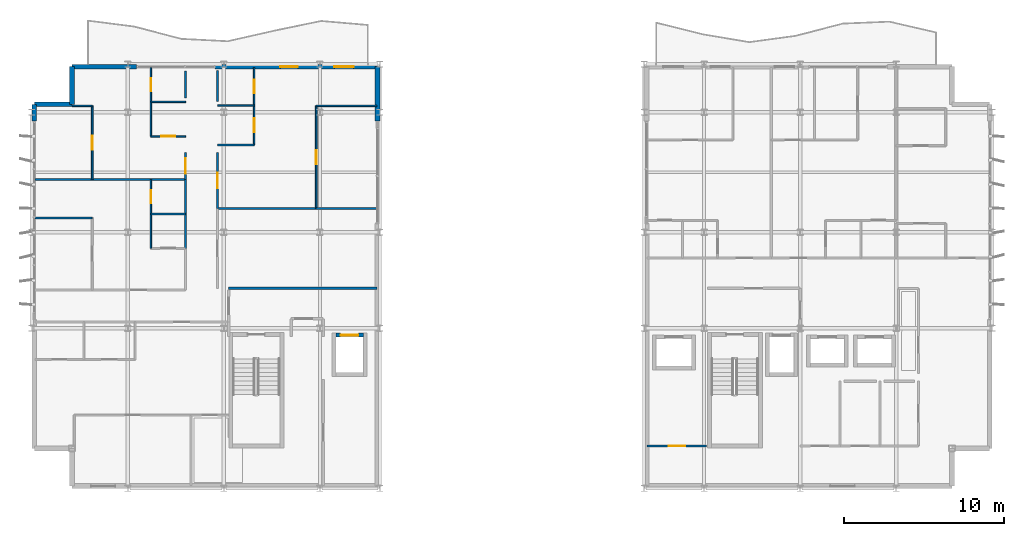
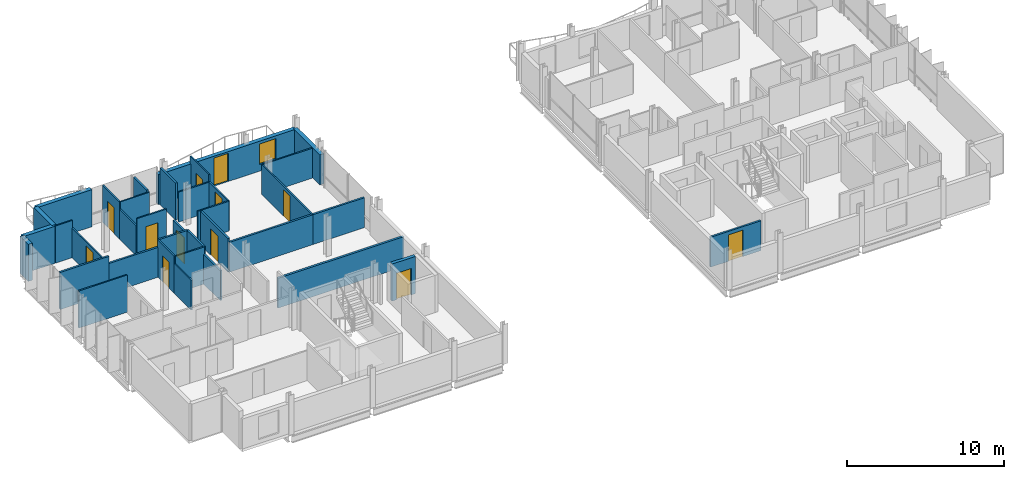
# One storey, part 23 of 30: 36 walls, 12 doors, 1 window, 13 openings.
"""IFC4 building model written with IfcOpenShell, lengths in metres."""

from ifc_helpers import new_model, si_unit, direction, frame, frame_2d, origin, place, context, subcontext, project, spatial, rectangle, extrude, material, layer, layer_set, type_object, element, fill, save


model = new_model("IFC4")

# Units and contexts
model_context = context("Model", 3, precision=1e-05, world=origin(), true_north=direction((0.0, 1.0)))
body_context = subcontext(model_context, "Body", "Model", "MODEL_VIEW")
ifc_project = project(units=[si_unit("LENGTHUNIT", "METRE"), si_unit("AREAUNIT", "SQUARE_METRE"), si_unit("VOLUMEUNIT", "CUBIC_METRE"), si_unit("PLANEANGLEUNIT", "RADIAN"), si_unit("MASSUNIT", "GRAM", prefix="KILO")], contexts=[model_context])

# Site, building, storey
site_placement = place(None, origin())
site = spatial("IfcSite", under=ifc_project, at=site_placement, CompositionType="ELEMENT")
building_placement = place(site_placement, origin())
building = spatial("IfcBuilding", under=site, at=building_placement, Name="Brevholm Reach", CompositionType="ELEMENT")
storey_placement = place(building_placement, frame((0.0, 0.0, 204.89990234375)))
storey = spatial("IfcBuildingStorey", under=building, at=storey_placement, Name="L62", CompositionType="ELEMENT", Elevation=204.89990234375)

# Wall, opening, door
ifc_material_1 = material(Name="Concrete C45/55", Category="concrete")
ifc_layer_1 = layer(ifc_material_1, 0.239990234375)
ifc_layer_set_1 = layer_set([ifc_layer_1], Name="Concrete C45/55")
wall_type_1 = type_object("IfcWallType", Name="WAL-COR-240", PredefinedType="SHEAR", material=ifc_layer_set_1)
wall_1_placement = place(storey_placement, frame((18.989990234375, 9.580078125, 0.0), z_axis=(0.0, 0.0, 1.0), x_axis=(1.0, 0.0, 0.0)))
wall_1 = element("IfcWall", 1, at=wall_1_placement, inside=storey, type_object=wall_type_1, Name="L62 Lift FFL-1 Shaft Wall N", PredefinedType="SHEAR", context=body_context, shape_type="SweptSolid", body=[
    extrude(rectangle(XDim=1.719970703125, YDim=0.239990234375, at=frame_2d((0.85986328125, 0.0))), origin(), (0.0, 0.0, 1.0), 2.89013671875),
])
opening_1_placement = place(wall_1_placement, frame((0.31005859375, 0.0, 0.0)))
opening_1 = element("IfcOpeningElement", 2, at=opening_1_placement, cuts=wall_1, Name="Opening LD-FFL-1", PredefinedType="OPENING", context=body_context, shape_type="SweptSolid", body=[
    extrude(rectangle(XDim=1.10009765625, YDim=2.06005859375, at=frame_2d((0.550048828125, 1.030029296875))), frame((0.0, 0.1298828125, 0.0), z_axis=(0.0, -1.0, 0.0), x_axis=(1.0, 0.0, 0.0)), (0.0, 0.0, 1.0), 0.260009765625),
])
ifc_material_2 = material(Name="Brushed Stainless Steel Fire-Rated Sliding Lift Door", Category="steel")
door_type_1 = type_object("IfcDoorType", Name="DOR-LFT-1100", OperationType="NOTDEFINED", PredefinedType="DOOR", material=ifc_material_2)
door_1_placement = place(opening_1_placement, origin())
door_1 = element("IfcDoor", 3, at=door_1_placement, inside=storey, type_object=door_type_1, Name="L62 Lift FFL-1 Sliding Landing Door", OperationType="SLIDING_TO_RIGHT", OverallHeight=2.06005859375, OverallWidth=1.10009765625, PredefinedType="DOOR", context=body_context, shape_type="SweptSolid", body=[
    extrude(rectangle(XDim=1.10009765625, YDim=2.06005859375, at=frame_2d((0.550048828125, 1.030029296875))), frame((0.0, 0.02490234375, 0.0), z_axis=(0.0, -1.0, 0.0), x_axis=(1.0, 0.0, 0.0)), (0.0, 0.0, 1.0), 0.050048828125),
])
fill(opening_1, door_1)

# Walls
ifc_material_3 = material(Name="Concrete C40/50", Category="concrete")
ifc_layer_2 = layer(ifc_material_3, 0.300048828125)
ifc_layer_set_2 = layer_set([ifc_layer_2], Name="Concrete C40/50")
wall_type_2 = type_object("IfcWallType", Name="WAL-EXT-300", PredefinedType="STANDARD", material=ifc_layer_set_2)
for number, where, z_axis, x_axis, name in (
    (4, (2.5, 26.35009765625, 0.0), (0.0, 0.0, 1.0), (0.0, -1.0, 0.0), "L62 Facade Wall WAL-L62-WW-CNW1"),
    (5, (2.5, 24.0, 0.0), (0.0, 0.0, 1.0), (-1.0, 0.0, 0.0), "L62 Facade Wall WAL-L62-WW-CNW2"),
):
    element("IfcWall", number, at=place(storey_placement, frame(where, z_axis=z_axis, x_axis=x_axis)), inside=storey, type_object=wall_type_2, Name=name, PredefinedType="STANDARD", context=body_context, shape_type="SweptSolid", body=[
        extrude(rectangle(XDim=2.35009765625, YDim=0.300048828125, at=frame_2d((1.175048828125, 0.0))), origin(), (0.0, 0.0, 1.0), 2.89013671875),
    ])
wall_2_placement = place(storey_placement, frame((0.14990234375, 24.0, 0.0), z_axis=(0.0, 0.0, 1.0), x_axis=(0.0, -1.0, 0.0)))
element("IfcWall", 6, at=wall_2_placement, inside=storey, type_object=wall_type_2, Name="L62 Facade Wall WAL-L62-WW-WN", PredefinedType="STANDARD", context=body_context, shape_type="SweptSolid", body=[
    extrude(rectangle(XDim=1.050048828125, YDim=0.300048828125, at=frame_2d((0.52490234375, 0.0))), origin(), (0.0, 0.0, 1.0), 2.89013671875),
])
wall_3_placement = place(storey_placement, frame((2.5, 26.35009765625, 0.0), z_axis=(0.0, 0.0, 1.0), x_axis=(1.0, 0.0, 0.0)))
element("IfcWall", 7, at=wall_3_placement, inside=storey, type_object=wall_type_2, Name="L62 Facade Wall WAL-L62-WW-NP1", PredefinedType="STANDARD", context=body_context, shape_type="SweptSolid", body=[
    extrude(rectangle(XDim=4.050048828125, YDim=0.300048828125, at=frame_2d((2.02490234375, 0.0))), origin(), (0.0, 0.0, 1.0), 2.89013671875),
])

# Wall, openings, door, window
wall_4_placement = place(storey_placement, frame((11.449951171875, 26.35009765625, 0.0), z_axis=(0.0, 0.0, 1.0), x_axis=(1.0, 0.0, 0.0)))
wall_4 = element("IfcWall", 8, at=wall_4_placement, inside=storey, type_object=wall_type_2, Name="L62 Facade Wall WAL-L62-WW-NP2", PredefinedType="STANDARD", context=body_context, shape_type="SweptSolid", body=[
    extrude(rectangle(XDim=10.150146484375, YDim=0.300048828125, at=frame_2d((5.0751953125, 0.0))), origin(), (0.0, 0.0, 1.0), 2.33203125),
])
opening_2_placement = place(wall_4_placement, frame((4.073974609375, 0.0, 0.0)))
opening_2 = element("IfcOpeningElement", 9, at=opening_2_placement, cuts=wall_4, Name="Opening BD-01", PredefinedType="OPENING", context=body_context, shape_type="SweptSolid", body=[
    extrude(rectangle(XDim=1.10009765625, YDim=2.199951171875, at=frame_2d((0.550048828125, 1.10009765625))), frame((0.0, 0.159912109375, 0.0), z_axis=(0.0, -1.0, 0.0), x_axis=(1.0, 0.0, 0.0)), (0.0, 0.0, 1.0), 0.320068359375),
])
opening_3_placement = place(wall_4_placement, frame((7.449951171875, 0.0, 0.511962890625)))
opening_3 = element("IfcOpeningElement", 10, at=opening_3_placement, cuts=wall_4, Name="Opening WN-08", PredefinedType="OPENING", context=body_context, shape_type="SweptSolid", body=[
    extrude(rectangle(XDim=1.199951171875, YDim=1.60009765625, at=frame_2d((0.60009765625, 0.800048828125))), frame((0.0, 0.159912109375, 0.0), z_axis=(0.0, -1.0, 0.0), x_axis=(1.0, 0.0, 0.0)), (0.0, 0.0, 1.0), 0.320068359375),
])
ifc_material_4 = material(Name="Dark Anodised Aluminium and Triple-Glazed Glass", Category="aluminium")
door_type_2 = type_object("IfcDoorType", Name="DOR-BALC-1100", OperationType="NOTDEFINED", PredefinedType="DOOR", material=ifc_material_4)
door_2_placement = place(opening_2_placement, origin())
door_2 = element("IfcDoor", 11, at=door_2_placement, inside=storey, type_object=door_type_2, Name="L62 Exterior Door DOR-L62-BL-NW", OperationType="SINGLE_SWING_RIGHT", OverallHeight=2.199951171875, OverallWidth=1.10009765625, PredefinedType="DOOR", context=body_context, shape_type="SweptSolid", body=[
    extrude(rectangle(XDim=1.10009765625, YDim=2.199951171875, at=frame_2d((0.550048828125, 1.10009765625))), frame((0.0, 0.02490234375, 0.0), z_axis=(0.0, -1.0, 0.0), x_axis=(1.0, 0.0, 0.0)), (0.0, 0.0, 1.0), 0.050048828125),
])
fill(opening_2, door_2)
ifc_material_5 = material(Name="Dark Anodised Aluminium and Solar-Control IGU Glass", Category="aluminium")
window_type = type_object("IfcWindowType", Name="WIN-RES-1200", PartitioningType="SINGLE_PANEL", PredefinedType="WINDOW", material=ifc_material_5)
window_placement = place(opening_3_placement, origin())
window = element("IfcWindow", 12, at=window_placement, inside=storey, type_object=window_type, Name="L62 Window WIN-L62-WW-NP2", OverallHeight=1.60009765625, OverallWidth=1.199951171875, PartitioningType="SINGLE_PANEL", PredefinedType="WINDOW", context=body_context, shape_type="SweptSolid", body=[
    extrude(rectangle(XDim=1.199951171875, YDim=1.60009765625, at=frame_2d((0.60009765625, 0.800048828125))), frame((0.0, 0.030029296875, 0.0), z_axis=(0.0, -1.0, 0.0), x_axis=(1.0, 0.0, 0.0)), (0.0, 0.0, 1.0), 0.06005859375),
])
fill(opening_3, window)

# Walls
wall_5_placement = place(storey_placement, frame((21.60009765625, 22.949951171875, 0.0), z_axis=(0.0, 0.0, 1.0), x_axis=(0.0, 1.0, 0.0)))
element("IfcWall", 13, at=wall_5_placement, inside=storey, type_object=wall_type_2, Name="L62 Facade Wall WAL-L62-VP-WN", PredefinedType="STANDARD", context=body_context, shape_type="SweptSolid", body=[
    extrude(rectangle(XDim=3.400146484375, YDim=0.300048828125, at=frame_2d((1.7001953125, 0.0))), origin(), (0.0, 0.0, 1.0), 2.33203125),
])
ifc_material_6 = material(Name="Moisture-Resistant Acoustic Gypsum Stud Partition 100 mm", Category="gypsum")
ifc_layer_3 = layer(ifc_material_6, 0.10009765625)
ifc_layer_set_3 = layer_set([ifc_layer_3], Name="Moisture-Resistant Acoustic Gypsum Stud Partition 100 mm")
wall_type_3 = type_object("IfcWallType", Name="WAL-PRT-100", PredefinedType="PARTITIONING", material=ifc_layer_set_3)
wall_6_placement = place(storey_placement, frame((7.43798828125, 17.14990234375, 0.0), z_axis=(0.0, 0.0, 1.0), x_axis=(1.0, 0.0, 0.0)))
element("IfcWall", 14, at=wall_6_placement, inside=storey, type_object=wall_type_3, Name="L62 Internal Partition 047", PredefinedType="PARTITIONING", context=body_context, shape_type="SweptSolid", body=[
    extrude(rectangle(XDim=2.157958984375, YDim=0.10009765625, at=frame_2d((1.0791015625, 0.0))), origin(), (0.0, 0.0, 1.0), 2.89013671875),
])

# Wall, opening, door
wall_7_placement = place(storey_placement, frame((7.43798828125, 17.14990234375, 0.0), z_axis=(0.0, 0.0, 1.0), x_axis=(0.0, 1.0, 0.0)))
wall_7 = element("IfcWall", 15, at=wall_7_placement, inside=storey, type_object=wall_type_3, Name="L62 Internal Partition 048", PredefinedType="PARTITIONING", context=body_context, shape_type="SweptSolid", body=[
    extrude(rectangle(XDim=2.150146484375, YDim=0.10009765625, at=frame_2d((1.0751953125, 0.0))), origin(), (0.0, 0.0, 1.0), 2.89013671875),
])
opening_4_placement = place(wall_7_placement, frame((0.6650390625, 0.0, 0.0)))
opening_4 = element("IfcOpeningElement", 16, at=opening_4_placement, cuts=wall_7, Name="Opening ID-03", PredefinedType="OPENING", context=body_context, shape_type="SweptSolid", body=[
    extrude(rectangle(XDim=0.820068359375, YDim=2.02001953125, at=frame_2d((0.41015625, 1.010009765625))), frame((0.0, 0.06005859375, 0.0), z_axis=(0.0, -1.0, 0.0), x_axis=(1.0, 0.0, 0.0)), (0.0, 0.0, 1.0), 0.1201171875),
])
ifc_material_7 = material(Name="Moisture-Resistant Painted Timber Internal Bathroom Door", Category="wood")
door_type_3 = type_object("IfcDoorType", Name="DOR-BATH-820", OperationType="NOTDEFINED", PredefinedType="DOOR", material=ifc_material_7)
door_3_placement = place(opening_4_placement, origin())
door_3 = element("IfcDoor", 17, at=door_3_placement, inside=storey, type_object=door_type_3, Name="L62 Internal Door 023", OperationType="SINGLE_SWING_RIGHT", OverallHeight=2.02001953125, OverallWidth=0.820068359375, PredefinedType="DOOR", context=body_context, shape_type="SweptSolid", body=[
    extrude(rectangle(XDim=0.820068359375, YDim=2.02001953125, at=frame_2d((0.41015625, 1.010009765625))), frame((0.0, 0.02490234375, 0.0), z_axis=(0.0, -1.0, 0.0), x_axis=(1.0, 0.0, 0.0)), (0.0, 0.0, 1.0), 0.050048828125),
])
fill(opening_4, door_3)

# Walls
wall_8_placement = place(storey_placement, frame((7.43798828125, 15.0, 0.0), z_axis=(0.0, 0.0, 1.0), x_axis=(0.0, 1.0, 0.0)))
element("IfcWall", 18, at=wall_8_placement, inside=storey, type_object=wall_type_3, Name="L62 Internal Partition 051", PredefinedType="PARTITIONING", context=body_context, shape_type="SweptSolid", body=[
    extrude(rectangle(XDim=2.14599609375, YDim=0.10009765625, at=frame_2d((1.072998046875, 0.0))), origin(), (0.0, 0.0, 1.0), 2.32568359375),
])
wall_9_placement = place(storey_placement, frame((0.199951171875, 16.89990234375, 0.0), z_axis=(0.0, 0.0, 1.0), x_axis=(1.0, 0.0, 0.0)))
element("IfcWall", 19, at=wall_9_placement, inside=storey, type_object=wall_type_3, Name="L62 Internal Partition 053", PredefinedType="PARTITIONING", context=body_context, shape_type="SweptSolid", body=[
    extrude(rectangle(XDim=3.572021484375, YDim=0.10009765625, at=frame_2d((1.7861328125, 0.0))), origin(), (0.0, 0.0, 1.0), 2.89013671875),
])
wall_10_placement = place(storey_placement, frame((7.43798828125, 24.14990234375, 0.0), z_axis=(0.0, 0.0, 1.0), x_axis=(1.0, 0.0, 0.0)))
element("IfcWall", 20, at=wall_10_placement, inside=storey, type_object=wall_type_3, Name="L62 Internal Partition 056", PredefinedType="PARTITIONING", context=body_context, shape_type="SweptSolid", body=[
    extrude(rectangle(XDim=2.162109375, YDim=0.10009765625, at=frame_2d((1.0810546875, 0.0))), origin(), (0.0, 0.0, 1.0), 2.89013671875),
])

# Wall, opening, door
wall_11_placement = place(storey_placement, frame((7.43798828125, 24.14990234375, 0.0), z_axis=(0.0, 0.0, 1.0), x_axis=(0.0, 1.0, 0.0)))
wall_11 = element("IfcWall", 21, at=wall_11_placement, inside=storey, type_object=wall_type_3, Name="L62 Internal Partition 057", PredefinedType="PARTITIONING", context=body_context, shape_type="SweptSolid", body=[
    extrude(rectangle(XDim=2.150146484375, YDim=0.10009765625, at=frame_2d((1.0751953125, 0.0))), origin(), (0.0, 0.0, 1.0), 2.89013671875),
])
opening_5_placement = place(wall_11_placement, frame((0.6650390625, 0.0, 0.0)))
opening_5 = element("IfcOpeningElement", 22, at=opening_5_placement, cuts=wall_11, Name="Opening ID-03", PredefinedType="OPENING", context=body_context, shape_type="SweptSolid", body=[
    extrude(rectangle(XDim=0.820068359375, YDim=2.02001953125, at=frame_2d((0.41015625, 1.010009765625))), frame((0.0, 0.06005859375, 0.0), z_axis=(0.0, -1.0, 0.0), x_axis=(1.0, 0.0, 0.0)), (0.0, 0.0, 1.0), 0.1201171875),
])
door_4_placement = place(opening_5_placement, origin())
door_4 = element("IfcDoor", 23, at=door_4_placement, inside=storey, type_object=door_type_3, Name="L62 Internal Door 026", OperationType="SINGLE_SWING_LEFT", OverallHeight=2.02001953125, OverallWidth=0.820068359375, PredefinedType="DOOR", context=body_context, shape_type="SweptSolid", body=[
    extrude(rectangle(XDim=0.820068359375, YDim=2.02001953125, at=frame_2d((0.41015625, 1.010009765625))), frame((0.0, 0.02490234375, 0.0), z_axis=(0.0, -1.0, 0.0), x_axis=(1.0, 0.0, 0.0)), (0.0, 0.0, 1.0), 0.050048828125),
])
fill(opening_5, door_4)

wall_12_placement = place(storey_placement, frame((7.43798828125, 22.0, 0.0), z_axis=(0.0, 0.0, 1.0), x_axis=(1.0, 0.0, 0.0)))
wall_12 = element("IfcWall", 24, at=wall_12_placement, inside=storey, type_object=wall_type_3, Name="L62 Internal Partition 058", PredefinedType="PARTITIONING", context=body_context, shape_type="SweptSolid", body=[
    extrude(rectangle(XDim=2.162109375, YDim=0.10009765625, at=frame_2d((1.0810546875, 0.0))), origin(), (0.0, 0.0, 1.0), 2.89013671875),
])
opening_6_placement = place(wall_12_placement, frame((0.64111328125, 0.0, 0.0)))
opening_6 = element("IfcOpeningElement", 25, at=opening_6_placement, cuts=wall_12, Name="Opening ID-01", PredefinedType="OPENING", context=body_context, shape_type="SweptSolid", body=[
    extrude(rectangle(XDim=0.8798828125, YDim=2.0400390625, at=frame_2d((0.43994140625, 1.02001953125))), frame((0.0, 0.06005859375, 0.0), z_axis=(0.0, -1.0, 0.0), x_axis=(1.0, 0.0, 0.0)), (0.0, 0.0, 1.0), 0.1201171875),
])
ifc_material_8 = material(Name="Lacquered Ash Solid-Core Acoustic Internal Door", Category="timber")
door_type_4 = type_object("IfcDoorType", Name="DOR-INT-880", OperationType="NOTDEFINED", PredefinedType="DOOR", material=ifc_material_8)
door_5_placement = place(opening_6_placement, origin())
door_5 = element("IfcDoor", 26, at=door_5_placement, inside=storey, type_object=door_type_4, Name="L62 Internal Door 027", OperationType="SINGLE_SWING_RIGHT", OverallHeight=2.0400390625, OverallWidth=0.8798828125, PredefinedType="DOOR", context=body_context, shape_type="SweptSolid", body=[
    extrude(rectangle(XDim=0.8798828125, YDim=2.0400390625, at=frame_2d((0.43994140625, 1.02001953125))), frame((0.0, 0.02490234375, 0.0), z_axis=(0.0, -1.0, 0.0), x_axis=(1.0, 0.0, 0.0)), (0.0, 0.0, 1.0), 0.050048828125),
])
fill(opening_6, door_5)

# Walls
wall_13_placement = place(storey_placement, frame((7.43798828125, 22.0, 0.0), z_axis=(0.0, 0.0, 1.0), x_axis=(0.0, 1.0, 0.0)))
element("IfcWall", 27, at=wall_13_placement, inside=storey, type_object=wall_type_3, Name="L62 Internal Partition 059", PredefinedType="PARTITIONING", context=body_context, shape_type="SweptSolid", body=[
    extrude(rectangle(XDim=2.14599609375, YDim=0.10009765625, at=frame_2d((1.072998046875, 0.0))), origin(), (0.0, 0.0, 1.0), 2.32568359375),
])
wall_14_placement = place(storey_placement, frame((2.52001953125, 23.89990234375, 0.0), z_axis=(0.0, 0.0, 1.0), x_axis=(1.0, 0.0, 0.0)))
element("IfcWall", 28, at=wall_14_placement, inside=storey, type_object=wall_type_3, Name="L62 Internal Partition 060", PredefinedType="PARTITIONING", context=body_context, shape_type="SweptSolid", body=[
    extrude(rectangle(XDim=1.251953125, YDim=0.10009765625, at=frame_2d((0.6259765625, 0.0))), origin(), (0.0, 0.0, 1.0), 2.89013671875),
])

# Wall, opening, door
wall_15_placement = place(storey_placement, frame((3.77197265625, 19.303955078125, 0.0), z_axis=(0.0, 0.0, 1.0), x_axis=(0.0, 1.0, 0.0)))
wall_15 = element("IfcWall", 29, at=wall_15_placement, inside=storey, type_object=wall_type_3, Name="L62 Internal Partition 061", PredefinedType="PARTITIONING", context=body_context, shape_type="SweptSolid", body=[
    extrude(rectangle(XDim=4.595947265625, YDim=0.10009765625, at=frame_2d((2.2978515625, 0.0))), origin(), (0.0, 0.0, 1.0), 2.32568359375),
])
opening_7_placement = place(wall_15_placement, frame((1.85791015625, 0.0, 0.0)))
opening_7 = element("IfcOpeningElement", 30, at=opening_7_placement, cuts=wall_15, Name="Opening ID-01", PredefinedType="OPENING", context=body_context, shape_type="SweptSolid", body=[
    extrude(rectangle(XDim=0.8798828125, YDim=2.0400390625, at=frame_2d((0.43994140625, 1.02001953125))), frame((0.0, 0.06005859375, 0.0), z_axis=(0.0, -1.0, 0.0), x_axis=(1.0, 0.0, 0.0)), (0.0, 0.0, 1.0), 0.1201171875),
])
door_6_placement = place(opening_7_placement, origin())
door_6 = element("IfcDoor", 31, at=door_6_placement, inside=storey, type_object=door_type_4, Name="L62 Internal Door 028", OperationType="SINGLE_SWING_LEFT", OverallHeight=2.0400390625, OverallWidth=0.8798828125, PredefinedType="DOOR", context=body_context, shape_type="SweptSolid", body=[
    extrude(rectangle(XDim=0.8798828125, YDim=2.0400390625, at=frame_2d((0.43994140625, 1.02001953125))), frame((0.0, 0.02490234375, 0.0), z_axis=(0.0, -1.0, 0.0), x_axis=(1.0, 0.0, 0.0)), (0.0, 0.0, 1.0), 0.050048828125),
])
fill(opening_7, door_6)

# Wall
wall_16_placement = place(storey_placement, frame((11.60009765625, 23.924072265625, 0.0), z_axis=(0.0, 0.0, 1.0), x_axis=(1.0, 0.0, 0.0)))
element("IfcWall", 32, at=wall_16_placement, inside=storey, type_object=wall_type_3, Name="L62 Internal Partition 062", PredefinedType="PARTITIONING", context=body_context, shape_type="SweptSolid", body=[
    extrude(rectangle(XDim=2.288818359375, YDim=0.10009765625, at=frame_2d((1.14453125, 0.0))), origin(), (0.0, 0.0, 1.0), 2.32568359375),
])

# Wall, opening, door
wall_17_placement = place(storey_placement, frame((13.888916015625, 23.924072265625, 0.0), z_axis=(0.0, 0.0, 1.0), x_axis=(0.0, 1.0, 0.0)))
wall_17 = element("IfcWall", 33, at=wall_17_placement, inside=storey, type_object=wall_type_3, Name="L62 Internal Partition 063", PredefinedType="PARTITIONING", context=body_context, shape_type="SweptSolid", body=[
    extrude(rectangle(XDim=2.3759765625, YDim=0.10009765625, at=frame_2d((1.18798828125, 0.0))), origin(), (0.0, 0.0, 1.0), 2.89013671875),
])
opening_8_placement = place(wall_17_placement, frame((0.778076171875, 0.0, 0.0)))
opening_8 = element("IfcOpeningElement", 34, at=opening_8_placement, cuts=wall_17, Name="Opening ID-03", PredefinedType="OPENING", context=body_context, shape_type="SweptSolid", body=[
    extrude(rectangle(XDim=0.820068359375, YDim=2.02001953125, at=frame_2d((0.41015625, 1.010009765625))), frame((0.0, 0.06005859375, 0.0), z_axis=(0.0, -1.0, 0.0), x_axis=(1.0, 0.0, 0.0)), (0.0, 0.0, 1.0), 0.1201171875),
])
door_7_placement = place(opening_8_placement, origin())
door_7 = element("IfcDoor", 35, at=door_7_placement, inside=storey, type_object=door_type_3, Name="L62 Internal Door 029", OperationType="SINGLE_SWING_RIGHT", OverallHeight=2.02001953125, OverallWidth=0.820068359375, PredefinedType="DOOR", context=body_context, shape_type="SweptSolid", body=[
    extrude(rectangle(XDim=0.820068359375, YDim=2.02001953125, at=frame_2d((0.41015625, 1.010009765625))), frame((0.0, 0.02490234375, 0.0), z_axis=(0.0, -1.0, 0.0), x_axis=(1.0, 0.0, 0.0)), (0.0, 0.0, 1.0), 0.050048828125),
])
fill(opening_8, door_7)

# Wall
wall_18_placement = place(storey_placement, frame((11.60009765625, 21.4599609375, 0.0), z_axis=(0.0, 0.0, 1.0), x_axis=(1.0, 0.0, 0.0)))
element("IfcWall", 36, at=wall_18_placement, inside=storey, type_object=wall_type_3, Name="L62 Internal Partition 064", PredefinedType="PARTITIONING", context=body_context, shape_type="SweptSolid", body=[
    extrude(rectangle(XDim=2.288818359375, YDim=0.10009765625, at=frame_2d((1.14453125, 0.0))), origin(), (0.0, 0.0, 1.0), 2.32568359375),
])

# Wall, opening, door
wall_19_placement = place(storey_placement, frame((13.888916015625, 21.4599609375, 0.0), z_axis=(0.0, 0.0, 1.0), x_axis=(0.0, 1.0, 0.0)))
wall_19 = element("IfcWall", 37, at=wall_19_placement, inside=storey, type_object=wall_type_3, Name="L62 Internal Partition 065", PredefinedType="PARTITIONING", context=body_context, shape_type="SweptSolid", body=[
    extrude(rectangle(XDim=2.4599609375, YDim=0.10009765625, at=frame_2d((1.22998046875, 0.0))), origin(), (0.0, 0.0, 1.0), 2.32568359375),
])
opening_9_placement = place(wall_19_placement, frame((0.7900390625, 0.0, 0.0)))
opening_9 = element("IfcOpeningElement", 38, at=opening_9_placement, cuts=wall_19, Name="Opening ID-01", PredefinedType="OPENING", context=body_context, shape_type="SweptSolid", body=[
    extrude(rectangle(XDim=0.8798828125, YDim=2.0400390625, at=frame_2d((0.43994140625, 1.02001953125))), frame((0.0, 0.06005859375, 0.0), z_axis=(0.0, -1.0, 0.0), x_axis=(1.0, 0.0, 0.0)), (0.0, 0.0, 1.0), 0.1201171875),
])
door_8_placement = place(opening_9_placement, origin())
door_8 = element("IfcDoor", 39, at=door_8_placement, inside=storey, type_object=door_type_4, Name="L62 Internal Door 030", OperationType="SINGLE_SWING_LEFT", OverallHeight=2.0400390625, OverallWidth=0.8798828125, PredefinedType="DOOR", context=body_context, shape_type="SweptSolid", body=[
    extrude(rectangle(XDim=0.8798828125, YDim=2.0400390625, at=frame_2d((0.43994140625, 1.02001953125))), frame((0.0, 0.02490234375, 0.0), z_axis=(0.0, -1.0, 0.0), x_axis=(1.0, 0.0, 0.0)), (0.0, 0.0, 1.0), 0.050048828125),
])
fill(opening_9, door_8)

# Wall
wall_20_placement = place(storey_placement, frame((17.76904296875, 23.89990234375, 0.0), z_axis=(0.0, 0.0, 1.0), x_axis=(1.0, 0.0, 0.0)))
element("IfcWall", 40, at=wall_20_placement, inside=storey, type_object=wall_type_3, Name="L62 Internal Partition 066", PredefinedType="PARTITIONING", context=body_context, shape_type="SweptSolid", body=[
    extrude(rectangle(XDim=3.781005859375, YDim=0.10009765625, at=frame_2d((1.890625, 0.0))), origin(), (0.0, 0.0, 1.0), 2.32568359375),
])

# Wall, opening, door
wall_21_placement = place(storey_placement, frame((17.76904296875, 17.5, 0.0), z_axis=(0.0, 0.0, 1.0), x_axis=(0.0, 1.0, 0.0)))
wall_21 = element("IfcWall", 41, at=wall_21_placement, inside=storey, type_object=wall_type_3, Name="L62 Internal Partition 067", PredefinedType="PARTITIONING", context=body_context, shape_type="SweptSolid", body=[
    extrude(rectangle(XDim=6.39990234375, YDim=0.10009765625, at=frame_2d((3.199951171875, 0.0))), origin(), (0.0, 0.0, 1.0), 2.32568359375),
])
opening_10_placement = place(wall_21_placement, frame((2.760009765625, 0.0, 0.0)))
opening_10 = element("IfcOpeningElement", 42, at=opening_10_placement, cuts=wall_21, Name="Opening ID-01", PredefinedType="OPENING", context=body_context, shape_type="SweptSolid", body=[
    extrude(rectangle(XDim=0.8798828125, YDim=2.0400390625, at=frame_2d((0.43994140625, 1.02001953125))), frame((0.0, 0.06005859375, 0.0), z_axis=(0.0, -1.0, 0.0), x_axis=(1.0, 0.0, 0.0)), (0.0, 0.0, 1.0), 0.1201171875),
])
door_9_placement = place(opening_10_placement, origin())
door_9 = element("IfcDoor", 43, at=door_9_placement, inside=storey, type_object=door_type_4, Name="L62 Internal Door 031", OperationType="SINGLE_SWING_RIGHT", OverallHeight=2.0400390625, OverallWidth=0.8798828125, PredefinedType="DOOR", context=body_context, shape_type="SweptSolid", body=[
    extrude(rectangle(XDim=0.8798828125, YDim=2.0400390625, at=frame_2d((0.43994140625, 1.02001953125))), frame((0.0, 0.02490234375, 0.0), z_axis=(0.0, -1.0, 0.0), x_axis=(1.0, 0.0, 0.0)), (0.0, 0.0, 1.0), 0.050048828125),
])
fill(opening_10, door_9)

ifc_material_9 = material(Name="Twin-Stud Acoustic Fire-Rated Gypsum Partition 140 mm", Category="gypsum")
ifc_layer_4 = layer(ifc_material_9, 0.139892578125)
ifc_layer_set_4 = layer_set([ifc_layer_4], Name="Twin-Stud Acoustic Fire-Rated Gypsum Partition 140 mm")
wall_type_4 = type_object("IfcWallType", Name="WAL-PRT-140", PredefinedType="PARTITIONING", material=ifc_layer_set_4)
wall_22_placement = place(storey_placement, frame((38.449951171875, 2.64990234375, 0.0), z_axis=(0.0, 0.0, 1.0), x_axis=(1.0, 0.0, 0.0)))
wall_22 = element("IfcWall", 44, at=wall_22_placement, inside=storey, type_object=wall_type_4, Name="L62 Internal Partition 007", PredefinedType="PARTITIONING", context=body_context, shape_type="SweptSolid", body=[
    extrude(rectangle(XDim=3.71142578125, YDim=0.139892578125, at=frame_2d((1.855712890625, 0.0))), origin(), (0.0, 0.0, 1.0), 2.32568359375),
])
opening_11_placement = place(wall_22_placement, frame((1.33056640625, 0.0, 0.0)))
opening_11 = element("IfcOpeningElement", 45, at=opening_11_placement, cuts=wall_22, Name="Opening FD-01", PredefinedType="OPENING", context=body_context, shape_type="SweptSolid", body=[
    extrude(rectangle(XDim=1.050048828125, YDim=2.06005859375, at=frame_2d((0.52490234375, 1.030029296875))), frame((0.0, 0.079833984375, 0.0), z_axis=(0.0, -1.0, 0.0), x_axis=(1.0, 0.0, 0.0)), (0.0, 0.0, 1.0), 0.159912109375),
])
ifc_material_10 = material(Name="Hardwood-Lipped Steel-Core Fire and Smoke Door", Category="steel")
door_type_5 = type_object("IfcDoorType", Name="DOR-INT-FD60S", OperationType="NOTDEFINED", PredefinedType="DOOR", material=ifc_material_10)
door_10_placement = place(opening_11_placement, origin())
door_10 = element("IfcDoor", 46, at=door_10_placement, inside=storey, type_object=door_type_5, Name="L62 Internal Door 005", OperationType="SINGLE_SWING_RIGHT", OverallHeight=2.06005859375, OverallWidth=1.050048828125, PredefinedType="DOOR", context=body_context, shape_type="SweptSolid", body=[
    extrude(rectangle(XDim=1.050048828125, YDim=2.06005859375, at=frame_2d((0.52490234375, 1.030029296875))), frame((0.0, 0.02490234375, 0.0), z_axis=(0.0, -1.0, 0.0), x_axis=(1.0, 0.0, 0.0)), (0.0, 0.0, 1.0), 0.050048828125),
])
fill(opening_11, door_10)

# Walls
wall_23_placement = place(storey_placement, frame((9.60009765625, 17.138671875, 0.0), z_axis=(0.0, 0.0, 1.0), x_axis=(0.0, 1.0, 0.0)))
element("IfcWall", 47, at=wall_23_placement, inside=storey, type_object=wall_type_4, Name="L62 Internal Partition 021", PredefinedType="PARTITIONING", context=body_context, shape_type="SweptSolid", body=[
    extrude(rectangle(XDim=2.172607421875, YDim=0.139892578125, at=frame_2d((1.08642578125, 0.0))), origin(), (0.0, 0.0, 1.0), 2.89013671875),
])
wall_24_placement = place(storey_placement, frame((9.60009765625, 14.98876953125, 0.0), z_axis=(0.0, 0.0, 1.0), x_axis=(0.0, 1.0, 0.0)))
element("IfcWall", 48, at=wall_24_placement, inside=storey, type_object=wall_type_4, Name="L62 Internal Partition 022", PredefinedType="PARTITIONING", context=body_context, shape_type="SweptSolid", body=[
    extrude(rectangle(XDim=2.16845703125, YDim=0.139892578125, at=frame_2d((1.084228515625, 0.0))), origin(), (0.0, 0.0, 1.0), 2.32568359375),
])

# Wall, opening, door
wall_25_placement = place(storey_placement, frame((9.60009765625, 19.292724609375, 0.0), z_axis=(0.0, 0.0, 1.0), x_axis=(0.0, 1.0, 0.0)))
wall_25 = element("IfcWall", 49, at=wall_25_placement, inside=storey, type_object=wall_type_4, Name="L62 Internal Partition 024", PredefinedType="PARTITIONING", context=body_context, shape_type="SweptSolid", body=[
    extrude(rectangle(XDim=1.707275390625, YDim=0.139892578125, at=frame_2d((0.853515625, 0.0))), origin(), (0.0, 0.0, 1.0), 2.61376953125),
])
opening_12_placement = place(wall_25_placement, frame((0.378662109375, 0.0, 0.0)))
opening_12 = element("IfcOpeningElement", 50, at=opening_12_placement, cuts=wall_25, Name="Opening ID-30", PredefinedType="OPENING", context=body_context, shape_type="SweptSolid", body=[
    extrude(rectangle(XDim=0.949951171875, YDim=2.050048828125, at=frame_2d((0.47509765625, 1.02490234375))), frame((0.0, 0.079833984375, 0.0), z_axis=(0.0, -1.0, 0.0), x_axis=(1.0, 0.0, 0.0)), (0.0, 0.0, 1.0), 0.159912109375),
])
ifc_material_11 = material(Name="European Oak Veneered Solid-Core Fire Entrance Door", Category="timber")
door_type_6 = type_object("IfcDoorType", Name="DOR-FLT-FD30S", OperationType="NOTDEFINED", PredefinedType="DOOR", material=ifc_material_11)
door_11_placement = place(opening_12_placement, origin())
door_11 = element("IfcDoor", 51, at=door_11_placement, inside=storey, type_object=door_type_6, Name="L62 Internal Door 011", OperationType="SINGLE_SWING_RIGHT", OverallHeight=2.050048828125, OverallWidth=0.949951171875, PredefinedType="DOOR", context=body_context, shape_type="SweptSolid", body=[
    extrude(rectangle(XDim=0.949951171875, YDim=2.050048828125, at=frame_2d((0.47509765625, 1.02490234375))), frame((0.0, 0.02490234375, 0.0), z_axis=(0.0, -1.0, 0.0), x_axis=(1.0, 0.0, 0.0)), (0.0, 0.0, 1.0), 0.050048828125),
])
fill(opening_12, door_11)

wall_26_placement = place(storey_placement, frame((11.60009765625, 17.48876953125, 0.0), z_axis=(0.0, 0.0, 1.0), x_axis=(0.0, 1.0, 0.0)))
wall_26 = element("IfcWall", 52, at=wall_26_placement, inside=storey, type_object=wall_type_4, Name="L62 Internal Partition 025", PredefinedType="PARTITIONING", context=body_context, shape_type="SweptSolid", body=[
    extrude(rectangle(XDim=3.51123046875, YDim=0.139892578125, at=frame_2d((1.755615234375, 0.0))), origin(), (0.0, 0.0, 1.0), 2.61376953125),
])
opening_13_placement = place(wall_26_placement, frame((1.280517578125, 0.0, 0.0)))
opening_13 = element("IfcOpeningElement", 53, at=opening_13_placement, cuts=wall_26, Name="Opening ID-30", PredefinedType="OPENING", context=body_context, shape_type="SweptSolid", body=[
    extrude(rectangle(XDim=0.949951171875, YDim=2.050048828125, at=frame_2d((0.47509765625, 1.02490234375))), frame((0.0, 0.079833984375, 0.0), z_axis=(0.0, -1.0, 0.0), x_axis=(1.0, 0.0, 0.0)), (0.0, 0.0, 1.0), 0.159912109375),
])
door_12_placement = place(opening_13_placement, origin())
door_12 = element("IfcDoor", 54, at=door_12_placement, inside=storey, type_object=door_type_6, Name="L62 Internal Door 012", OperationType="SINGLE_SWING_LEFT", OverallHeight=2.050048828125, OverallWidth=0.949951171875, PredefinedType="DOOR", context=body_context, shape_type="SweptSolid", body=[
    extrude(rectangle(XDim=0.949951171875, YDim=2.050048828125, at=frame_2d((0.47509765625, 1.02490234375))), frame((0.0, 0.02490234375, 0.0), z_axis=(0.0, -1.0, 0.0), x_axis=(1.0, 0.0, 0.0)), (0.0, 0.0, 1.0), 0.050048828125),
])
fill(opening_13, door_12)

# Walls
wall_27_placement = place(storey_placement, frame((7.43798828125, 19.300048828125, 0.0), z_axis=(0.0, 0.0, 1.0), x_axis=(1.0, 0.0, 0.0)))
element("IfcWall", 55, at=wall_27_placement, inside=storey, type_object=wall_type_4, Name="L62 Internal Partition 049", PredefinedType="PARTITIONING", context=body_context, shape_type="SweptSolid", body=[
    extrude(rectangle(XDim=2.157958984375, YDim=0.139892578125, at=frame_2d((1.0791015625, 0.0))), origin(), (0.0, 0.0, 1.0), 2.89013671875),
])
wall_28_placement = place(storey_placement, frame((0.199951171875, 19.300048828125, 0.0), z_axis=(0.0, 0.0, 1.0), x_axis=(1.0, 0.0, 0.0)))
element("IfcWall", 56, at=wall_28_placement, inside=storey, type_object=wall_type_4, Name="L62 Internal Partition 054", PredefinedType="PARTITIONING", context=body_context, shape_type="SweptSolid", body=[
    extrude(rectangle(XDim=3.583251953125, YDim=0.139892578125, at=frame_2d((1.79150390625, 0.0))), origin(), (0.0, 0.0, 1.0), 2.89013671875),
])
wall_29_placement = place(storey_placement, frame((3.7646484375, 19.300048828125, 0.0), z_axis=(0.0, 0.0, 1.0), x_axis=(1.0, 0.0, 0.0)))
element("IfcWall", 57, at=wall_29_placement, inside=storey, type_object=wall_type_4, Name="L62 Internal Partition 055", PredefinedType="PARTITIONING", context=body_context, shape_type="SweptSolid", body=[
    extrude(rectangle(XDim=3.66943359375, YDim=0.139892578125, at=frame_2d((1.834716796875, 0.0))), origin(), (0.0, 0.0, 1.0), 2.32568359375),
])
wall_30_placement = place(storey_placement, frame((17.76904296875, 17.5, 0.0), z_axis=(0.0, 0.0, 1.0), x_axis=(1.0, 0.0, 0.0)))
element("IfcWall", 58, at=wall_30_placement, inside=storey, type_object=wall_type_4, Name="L62 Internal Partition 068", PredefinedType="PARTITIONING", context=body_context, shape_type="SweptSolid", body=[
    extrude(rectangle(XDim=3.781005859375, YDim=0.139892578125, at=frame_2d((1.890625, 0.0))), origin(), (0.0, 0.0, 1.0), 2.32568359375),
])
wall_31_placement = place(storey_placement, frame((11.60400390625, 17.5, 0.0), z_axis=(0.0, 0.0, 1.0), x_axis=(1.0, 0.0, 0.0)))
element("IfcWall", 59, at=wall_31_placement, inside=storey, type_object=wall_type_4, Name="L62 Internal Partition 069", PredefinedType="PARTITIONING", context=body_context, shape_type="SweptSolid", body=[
    extrude(rectangle(XDim=6.160888671875, YDim=0.139892578125, at=frame_2d((3.08056640625, 0.0))), origin(), (0.0, 0.0, 1.0), 2.32568359375),
])
wall_32_placement = place(storey_placement, frame((9.60009765625, 24.389892578125, 0.0), z_axis=(0.0, 0.0, 1.0), x_axis=(0.0, 1.0, 0.0)))
element("IfcWall", 60, at=wall_32_placement, inside=storey, type_object=wall_type_4, Name="L62 Internal Partition 097", PredefinedType="PARTITIONING", context=body_context, shape_type="SweptSolid", body=[
    extrude(rectangle(XDim=1.68017578125, YDim=0.139892578125, at=frame_2d((0.840087890625, 0.0))), origin(), (0.0, 0.0, 1.0), 2.89013671875),
])
wall_33_placement = place(storey_placement, frame((11.60009765625, 24.1640625, 0.0), z_axis=(0.0, 0.0, 1.0), x_axis=(0.0, 1.0, 0.0)))
element("IfcWall", 61, at=wall_33_placement, inside=storey, type_object=wall_type_4, Name="L62 Internal Partition 098", PredefinedType="PARTITIONING", context=body_context, shape_type="SweptSolid", body=[
    extrude(rectangle(XDim=1.946044921875, YDim=0.139892578125, at=frame_2d((0.97314453125, 0.0))), origin(), (0.0, 0.0, 1.0), 2.89013671875),
])
ifc_material_12 = material(Name="Twin-Frame Fire-Rated Gypsum Board and Mineral Wool 160 mm", Category="gypsum")
ifc_layer_5 = layer(ifc_material_12, 0.159912109375)
ifc_layer_set_5 = layer_set([ifc_layer_5], Name="Twin-Frame Fire-Rated Gypsum Board and Mineral Wool 160 mm")
wall_type_5 = type_object("IfcWallType", Name="WAL-PRT-160", PredefinedType="PARTITIONING", material=ifc_layer_set_5)
wall_34_placement = place(storey_placement, frame((12.300048828125, 12.5, 0.0), z_axis=(0.0, 0.0, 1.0), x_axis=(1.0, 0.0, 0.0)))
element("IfcWall", 62, at=wall_34_placement, inside=storey, type_object=wall_type_5, Name="L62 Internal Partition 015", PredefinedType="PARTITIONING", context=body_context, shape_type="SweptSolid", body=[
    extrude(rectangle(XDim=9.26123046875, YDim=0.159912109375, at=frame_2d((4.630615234375, 0.0))), origin(), (0.0, 0.0, 1.0), 2.32568359375),
])

save(model, "model.ifc")
